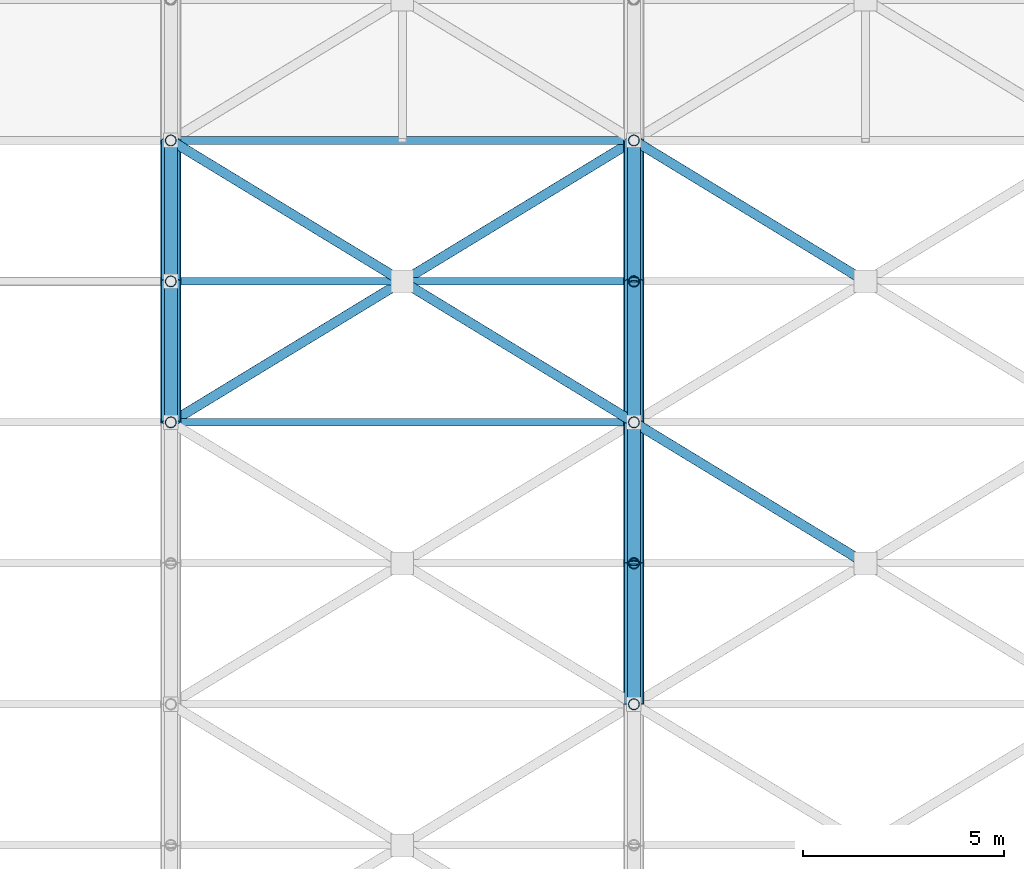
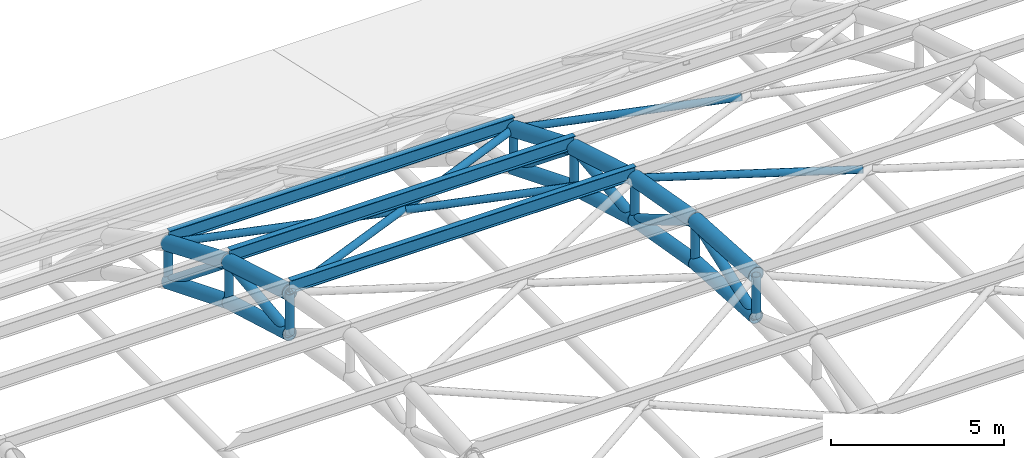
# One storey, part 56 of 154: 34 members.
"""IFC4 building model written with IfcOpenShell, lengths in metres."""

import ifcopenshell
import ifcopenshell.guid

model = None  # the IFC model being written
_history = None  # IfcOwnerHistory: only IFC2X3 demands one
_inside = {}  # id of a spatial element -> (the spatial element, [elements in it])
_under = {}  # id of a project, library or spatial element -> (it, [spatial elements below it])
_declared = {}  # id of a project -> (the project, [libraries it declares])
_typed = {}  # id of a type object -> (the type object, [elements of that type])
_made_of = {}  # id of a material, layer set ... -> (it, [elements and type objects made of it])


def new_model(schema):
    """Start an empty IFC model of exactly this schema.

    Asked for "IFC4X3", IfcOpenShell would pick the latest addendum, in which some entities
    have other attributes; the version numbers below select the first issue.
    IFC2X3 requires an IfcOwnerHistory on every rooted entity: one is made here for all.
    """
    global model, _history
    if schema == "IFC4X3":
        model = ifcopenshell.file(schema_version=(4, 3, 0, 0))
    else:
        model = ifcopenshell.file(schema=schema)
    _inside.clear()
    _under.clear()
    _declared.clear()
    _typed.clear()
    _made_of.clear()
    _history = None
    if model.schema == "IFC2X3":
        org = make("IfcOrganization", Name="unknown")
        user = make(
            "IfcPersonAndOrganization",
            ThePerson=make("IfcPerson", FamilyName="unknown"),
            TheOrganization=org,
        )
        app = make(
            "IfcApplication",
            ApplicationDeveloper=org,
            Version="unknown",
            ApplicationFullName="unknown",
            ApplicationIdentifier="unknown",
        )
        _history = make(
            "IfcOwnerHistory",
            OwningUser=user,
            OwningApplication=app,
            ChangeAction="ADDED",
            CreationDate=0,
        )
    return model


def make(cls, **values):
    """One entity of the class cls with the attributes given. An attribute that is None is left unset."""
    return model.create_entity(
        cls, **{name: value for name, value in values.items() if value is not None}
    )


def rooted(cls, **values):
    """An entity with a GlobalId (a new one), such as an element, a storey or a relation."""
    return make(cls, GlobalId=ifcopenshell.guid.new(), OwnerHistory=_history, **values)


def si_unit(unit_type, name, prefix=None):
    """IfcSIUnit, for example si_unit("LENGTHUNIT", "METRE", prefix="MILLI")."""
    return make("IfcSIUnit", UnitType=unit_type, Prefix=prefix, Name=name)


def assignment(units):
    """IfcUnitAssignment: the units of a project."""
    return None if units is None else make("IfcUnitAssignment", Units=units)


def point(xyz):
    """IfcCartesianPoint."""
    return None if xyz is None else make("IfcCartesianPoint", Coordinates=xyz)


def direction(xyz):
    """IfcDirection."""
    return None if xyz is None else make("IfcDirection", DirectionRatios=xyz)


def frame(location, z_axis=None, x_axis=None):
    """IfcAxis2Placement3D, a coordinate frame: its origin and axes. An axis left out is left unset."""
    return make(
        "IfcAxis2Placement3D",
        Location=point(location),
        Axis=direction(z_axis),
        RefDirection=direction(x_axis),
    )


def frame_2d(location, x_axis=None):
    """IfcAxis2Placement2D, a coordinate frame in the plane: its origin and x axis."""
    return make(
        "IfcAxis2Placement2D", Location=point(location), RefDirection=direction(x_axis)
    )


def origin():
    """The frame at (0, 0, 0) with its axes left unset."""
    return frame((0.0, 0.0, 0.0))


def origin_2d():
    """The frame at (0, 0) in the plane with its x axis left unset."""
    return frame_2d((0.0, 0.0))


def place(relative_to, where):
    """IfcLocalPlacement: puts the frame where relative to a parent placement (None: the world)."""
    return make(
        "IfcLocalPlacement", PlacementRelTo=relative_to, RelativePlacement=where
    )


def context(
    kind, dimensions, precision=None, world=None, true_north=None, identifier=None
):
    """IfcGeometricRepresentationContext, for example the 3D "Model" context."""
    return make(
        "IfcGeometricRepresentationContext",
        ContextIdentifier=identifier,
        ContextType=kind,
        CoordinateSpaceDimension=dimensions,
        Precision=precision,
        WorldCoordinateSystem=world,
        TrueNorth=true_north,
    )


def subcontext(parent, identifier, kind, view, scale=None):
    """IfcGeometricRepresentationSubContext, for example "Body" below "Model"."""
    return make(
        "IfcGeometricRepresentationSubContext",
        ContextIdentifier=identifier,
        ContextType=kind,
        ParentContext=parent,
        TargetScale=scale,
        TargetView=view,
    )


def project(units=None, contexts=None):
    """IfcProject with its units and contexts."""
    return rooted(
        "IfcProject",
        Name="project",
        RepresentationContexts=contexts,
        UnitsInContext=assignment(units),
    )


def spatial(cls, under=None, at=None, **own):
    """A site, building, storey or space (cls), placed at a placement, below another one or the project."""
    s = rooted(cls, ObjectPlacement=at, **own)
    if under is not None:
        _under.setdefault(under.id(), (under, []))[1].append(s)
    return s


def profile(cls, at=None, kind="AREA", **sizes):
    """A parametric profile (cls). Its sizes go by their IFC names, for example OverallWidth=200.0."""
    return make(cls, ProfileType=kind, Position=at, **sizes)


def hollow_circle(**sizes):
    """IfcCircleHollowProfileDef."""
    return profile("IfcCircleHollowProfileDef", **sizes)


def i_section(**sizes):
    """IfcIShapeProfileDef."""
    return profile("IfcIShapeProfileDef", **sizes)


def extrude(swept, where, along, depth):
    """IfcExtrudedAreaSolid: the profile swept, set in the frame where, extruded along a direction by depth."""
    return make(
        "IfcExtrudedAreaSolid",
        SweptArea=swept,
        Position=where,
        ExtrudedDirection=direction(along),
        Depth=depth,
    )


def shape(context_of_items, identifier, shape_type, items):
    """IfcShapeRepresentation: the items that make up one representation, for example the "Body"."""
    return make(
        "IfcShapeRepresentation",
        ContextOfItems=context_of_items,
        RepresentationIdentifier=identifier,
        RepresentationType=shape_type,
        Items=items,
    )


def material(Name=None, Category=None):
    """IfcMaterial."""
    return make("IfcMaterial", Name=Name, Category=Category)


def material_profile(
    of_material, cross_section, Name=None, Category=None, Priority=None
):
    """IfcMaterialProfile: a cross section and its material."""
    return make(
        "IfcMaterialProfile",
        Name=Name,
        Material=of_material,
        Profile=cross_section,
        Priority=Priority,
        Category=Category,
    )


def profile_set(profiles, Name=None, composite=None):
    """IfcMaterialProfileSet."""
    return make(
        "IfcMaterialProfileSet",
        Name=Name,
        MaterialProfiles=profiles,
        CompositeProfile=composite,
    )


def made_of(thing, what):
    """Note that an element or type object is made of a material, layer set ...; save() writes the relation."""
    if what is not None:
        _made_of.setdefault(what.id(), (what, []))[1].append(thing)
    return thing


def type_object(cls, material=None, **own):
    """A type object (cls), such as IfcWallType, which elements share."""
    return made_of(rooted(cls, **own), material)


def element(
    cls,
    number,
    at=None,
    inside=None,
    cuts=None,
    type_object=None,
    material=None,
    context=None,
    identifier="Body",
    shape_type=None,
    held_by="IfcProductDefinitionShape",
    body=None,
    shapes=None,
    **own,
):
    """One element of the class cls, such as IfcWall. Its Tag is "e" and its number.

    at: its placement. inside: the storey or other place that contains it. cuts: it is an
    opening in that element (IfcRelVoidsElement). A single representation is given by context,
    identifier, shape_type and body (its items); several are given by shapes. held_by: the class
    of the entity that holds the representations. save() writes the other relations.
    """
    e = rooted(cls, Tag="e%d" % number, ObjectPlacement=at, **own)
    if body is not None:
        shapes = [shape(context, identifier, shape_type, body)]
    if shapes is not None:
        e.Representation = make(held_by, Representations=shapes)
    if inside is not None:
        _inside.setdefault(inside.id(), (inside, []))[1].append(e)
    if cuts is not None:
        rooted(
            "IfcRelVoidsElement", RelatingBuildingElement=cuts, RelatedOpeningElement=e
        )
    if type_object is not None:
        _typed.setdefault(type_object.id(), (type_object, []))[1].append(e)
    return made_of(e, material)


def aggregate(whole, parts):
    """IfcRelAggregates: a whole, such as a stair, and the parts it consists of."""
    return rooted("IfcRelAggregates", RelatingObject=whole, RelatedObjects=parts)


def save(model, path):
    """Write the relations noted so far, then the file.

    IfcRelAggregates (storeys below a building ...), IfcRelContainedInSpatialStructure (elements
    in a storey), IfcRelDefinesByType, IfcRelAssociatesMaterial and IfcRelDeclares: one each for
    every whole, place, type object, material and project.
    """
    for whole, parts in _under.values():
        aggregate(whole, parts)
    for where, things in _inside.values():
        rooted(
            "IfcRelContainedInSpatialStructure",
            RelatedElements=things,
            RelatingStructure=where,
        )
    for kind, things in _typed.values():
        rooted("IfcRelDefinesByType", RelatedObjects=things, RelatingType=kind)
    for what, things in _made_of.values():
        rooted("IfcRelAssociatesMaterial", RelatedObjects=things, RelatingMaterial=what)
    for by, libraries in _declared.values():
        rooted("IfcRelDeclares", RelatingContext=by, RelatedDefinitions=libraries)
    model.write(path)


model = new_model("IFC4")

# Units and contexts
model_context = context("Model", 3, precision=1e-05, world=origin(), true_north=direction((0.0, 1.0)))
body_context = subcontext(model_context, "Body", "Model", "MODEL_VIEW")
ifc_project = project(units=[si_unit("LENGTHUNIT", "METRE"), si_unit("AREAUNIT", "SQUARE_METRE"), si_unit("VOLUMEUNIT", "CUBIC_METRE"), si_unit("PLANEANGLEUNIT", "RADIAN"), si_unit("MASSUNIT", "GRAM", prefix="KILO")], contexts=[model_context])

# Site, building, storey
site_placement = place(None, origin())
site = spatial("IfcSite", under=ifc_project, at=site_placement, CompositionType="ELEMENT")
building_placement = place(site_placement, origin())
building = spatial("IfcBuilding", under=site, at=building_placement, Name="Ologun Quay Terminus", CompositionType="ELEMENT")
storey_placement = place(building_placement, frame((0.0, 0.0, 13.800048828125)))
storey = spatial("IfcBuildingStorey", under=building, at=storey_placement, Name="L03", CompositionType="ELEMENT", Elevation=13.800048828125)

# Members
ifc_material_1 = material(Name="Steel S355", Category="steel")
ifc_material_profile_1 = material_profile(ifc_material_1, hollow_circle(Radius=0.136474609375, WallThickness=0.010009765625, at=origin_2d()), Name="CHS 273x10")
ifc_profile_set_1 = profile_set([ifc_material_profile_1], Name="Steel S355")
member_type_1 = type_object("IfcMemberType", Name="Arch Truss Vertical Post CHS273", PredefinedType="STRUT", material=ifc_profile_set_1)
member_1_placement = place(storey_placement, frame((80.5, 64.0, 6.435546875), z_axis=(0.0, 0.0, 1.0), x_axis=(1.0, 0.0, 0.0)))
element("IfcMember", 1, at=member_1_placement, inside=storey, type_object=member_type_1, Name="AW2 Arch Web Post 8-N8", PredefinedType="STRUT", context=body_context, shape_type="SweptSolid", body=[
    extrude(hollow_circle(Radius=0.136474609375, WallThickness=0.010009765625, at=origin_2d()), origin(), (0.0, 0.0, 1.0), 1.44873046875),
])
member_2_placement = place(storey_placement, frame((80.5, 67.5, 5.429931640625), z_axis=(0.0, 0.0, 1.0), x_axis=(1.0, 0.0, 0.0)))
element("IfcMember", 2, at=member_2_placement, inside=storey, type_object=member_type_1, Name="AW2 Arch Web Post 8-N9", PredefinedType="STRUT", context=body_context, shape_type="SweptSolid", body=[
    extrude(hollow_circle(Radius=0.136474609375, WallThickness=0.010009765625, at=origin_2d()), origin(), (0.0, 0.0, 1.0), 1.409912109375),
])
member_3_placement = place(storey_placement, frame((80.5, 71.0, 4.022216796875), z_axis=(0.0, 0.0, 1.0), x_axis=(1.0, 0.0, 0.0)))
element("IfcMember", 3, at=member_3_placement, inside=storey, type_object=member_type_1, Name="AW2 Arch Web Post 8-N10", PredefinedType="STRUT", context=body_context, shape_type="SweptSolid", body=[
    extrude(hollow_circle(Radius=0.136474609375, WallThickness=0.010009765625, at=origin_2d()), origin(), (0.0, 0.0, 1.0), 1.35546875),
])
member_4_placement = place(storey_placement, frame((92.0, 57.0, 7.239990234375), z_axis=(0.0, 0.0, 1.0), x_axis=(1.0, 0.0, 0.0)))
element("IfcMember", 4, at=member_4_placement, inside=storey, type_object=member_type_1, Name="AW2 Arch Web Post 9-N6", PredefinedType="STRUT", context=body_context, shape_type="SweptSolid", body=[
    extrude(hollow_circle(Radius=0.136474609375, WallThickness=0.010009765625, at=origin_2d()), origin(), (0.0, 0.0, 1.0), 1.47998046875),
])
member_5_placement = place(storey_placement, frame((92.0, 60.5, 7.038818359375), z_axis=(0.0, 0.0, 1.0), x_axis=(1.0, 0.0, 0.0)))
element("IfcMember", 5, at=member_5_placement, inside=storey, type_object=member_type_1, Name="AW2 Arch Web Post 9-N7", PredefinedType="STRUT", context=body_context, shape_type="SweptSolid", body=[
    extrude(hollow_circle(Radius=0.136474609375, WallThickness=0.010009765625, at=origin_2d()), origin(), (0.0, 0.0, 1.0), 1.47216796875),
])
member_6_placement = place(storey_placement, frame((92.0, 64.0, 6.435546875), z_axis=(0.0, 0.0, 1.0), x_axis=(1.0, 0.0, 0.0)))
element("IfcMember", 6, at=member_6_placement, inside=storey, type_object=member_type_1, Name="AW2 Arch Web Post 9-N8", PredefinedType="STRUT", context=body_context, shape_type="SweptSolid", body=[
    extrude(hollow_circle(Radius=0.136474609375, WallThickness=0.010009765625, at=origin_2d()), origin(), (0.0, 0.0, 1.0), 1.44873046875),
])
member_7_placement = place(storey_placement, frame((92.0, 67.5, 5.429931640625), z_axis=(0.0, 0.0, 1.0), x_axis=(1.0, 0.0, 0.0)))
element("IfcMember", 7, at=member_7_placement, inside=storey, type_object=member_type_1, Name="AW2 Arch Web Post 9-N9", PredefinedType="STRUT", context=body_context, shape_type="SweptSolid", body=[
    extrude(hollow_circle(Radius=0.136474609375, WallThickness=0.010009765625, at=origin_2d()), origin(), (0.0, 0.0, 1.0), 1.409912109375),
])
member_8_placement = place(storey_placement, frame((92.0, 71.0, 4.022216796875), z_axis=(0.0, 0.0, 1.0), x_axis=(1.0, 0.0, 0.0)))
element("IfcMember", 8, at=member_8_placement, inside=storey, type_object=member_type_1, Name="AW2 Arch Web Post 9-N10", PredefinedType="STRUT", context=body_context, shape_type="SweptSolid", body=[
    extrude(hollow_circle(Radius=0.136474609375, WallThickness=0.010009765625, at=origin_2d()), origin(), (0.0, 0.0, 1.0), 1.35546875),
])
ifc_material_2 = material(Name="Steel S355", Category="steel")
ifc_material_profile_2 = material_profile(ifc_material_2, hollow_circle(Radius=0.161865234375, WallThickness=0.010009765625, at=origin_2d()), Name="CHS 323.9x10")
ifc_profile_set_2 = profile_set([ifc_material_profile_2], Name="Steel S355")
member_type_2 = type_object("IfcMemberType", Name="Arch Truss Web Diagonal CHS323", PredefinedType="BRACE", material=ifc_profile_set_2)
member_9_placement = place(storey_placement, frame((80.5, 64.0, 6.435546875), z_axis=(0.0, 0.993394361, 0.114750353084), x_axis=(-1.0, 0.0, 0.0)))
element("IfcMember", 9, at=member_9_placement, inside=storey, type_object=member_type_2, Name="AW1 Arch Web Diagonal 8-P9", PredefinedType="BRACE", context=body_context, shape_type="SweptSolid", body=[
    extrude(hollow_circle(Radius=0.161865234375, WallThickness=0.010009765625, at=origin_2d()), origin(), (0.0, 0.0, 1.0), 3.523193359375),
])
member_10_placement = place(storey_placement, frame((80.5, 67.5, 6.83984375), z_axis=(0.0, 0.77895148125, -0.627084196785), x_axis=(-1.0, 0.0, 0.0)))
element("IfcMember", 10, at=member_10_placement, inside=storey, type_object=member_type_2, Name="AW1 Arch Web Diagonal 8-P10", PredefinedType="BRACE", context=body_context, shape_type="SweptSolid", body=[
    extrude(hollow_circle(Radius=0.161865234375, WallThickness=0.010009765625, at=origin_2d()), origin(), (0.0, 0.0, 1.0), 4.4931640625),
])
member_11_placement = place(storey_placement, frame((92.0, 57.0, 7.239990234375), z_axis=(0.0, 0.939942650142, 0.34133241048), x_axis=(-1.0, 0.0, 0.0)))
element("IfcMember", 11, at=member_11_placement, inside=storey, type_object=member_type_2, Name="AW1 Arch Web Diagonal 9-P7", PredefinedType="BRACE", context=body_context, shape_type="SweptSolid", body=[
    extrude(hollow_circle(Radius=0.161865234375, WallThickness=0.010009765625, at=origin_2d()), origin(), (0.0, 0.0, 1.0), 3.7236328125),
])
member_12_placement = place(storey_placement, frame((92.0, 60.5, 8.510986328125), z_axis=(0.0, 0.860144332958, -0.510050709715), x_axis=(-1.0, 0.0, 0.0)))
element("IfcMember", 12, at=member_12_placement, inside=storey, type_object=member_type_2, Name="AW1 Arch Web Diagonal 9-P8", PredefinedType="BRACE", context=body_context, shape_type="SweptSolid", body=[
    extrude(hollow_circle(Radius=0.161865234375, WallThickness=0.010009765625, at=origin_2d()), origin(), (0.0, 0.0, 1.0), 4.069091796875),
])
member_13_placement = place(storey_placement, frame((92.0, 64.0, 6.435546875), z_axis=(0.0, 0.993394361, 0.114750353084), x_axis=(-1.0, 0.0, 0.0)))
element("IfcMember", 13, at=member_13_placement, inside=storey, type_object=member_type_2, Name="AW1 Arch Web Diagonal 9-P9", PredefinedType="BRACE", context=body_context, shape_type="SweptSolid", body=[
    extrude(hollow_circle(Radius=0.161865234375, WallThickness=0.010009765625, at=origin_2d()), origin(), (0.0, 0.0, 1.0), 3.523193359375),
])
member_14_placement = place(storey_placement, frame((92.0, 67.5, 6.83984375), z_axis=(0.0, 0.77895148125, -0.627084196785), x_axis=(-1.0, 0.0, 0.0)))
element("IfcMember", 14, at=member_14_placement, inside=storey, type_object=member_type_2, Name="AW1 Arch Web Diagonal 9-P10", PredefinedType="BRACE", context=body_context, shape_type="SweptSolid", body=[
    extrude(hollow_circle(Radius=0.161865234375, WallThickness=0.010009765625, at=origin_2d()), origin(), (0.0, 0.0, 1.0), 4.4931640625),
])
ifc_material_3 = material(Name="Steel S355", Category="steel")
ifc_material_profile_3 = material_profile(ifc_material_3, hollow_circle(Radius=0.228515625, WallThickness=0.01611328125, at=origin_2d()), Name="CHS 457x16")
ifc_profile_set_3 = profile_set([ifc_material_profile_3], Name="Steel S355")
member_type_3 = type_object("IfcMemberType", Name="Parabolic Arch Bottom Chord CHS457", PredefinedType="CHORD", material=ifc_profile_set_3)
member_15_placement = place(storey_placement, frame((80.5, 64.0, 6.435546875), z_axis=(0.0, 0.961115578425, -0.276146419331), x_axis=(-1.0, 0.0, 0.0)))
element("IfcMember", 15, at=member_15_placement, inside=storey, type_object=member_type_3, Name="AC2 Arch Bottom Chord 8-P9", PredefinedType="CHORD", context=body_context, shape_type="SweptSolid", body=[
    extrude(hollow_circle(Radius=0.228515625, WallThickness=0.01611328125, at=origin_2d()), origin(), (0.0, 0.0, 1.0), 3.6416015625),
])
member_16_placement = place(storey_placement, frame((80.5, 67.5, 5.429931640625), z_axis=(0.0, 0.92776983497, -0.373152962363), x_axis=(-1.0, 0.0, 0.0)))
element("IfcMember", 16, at=member_16_placement, inside=storey, type_object=member_type_3, Name="AC2 Arch Bottom Chord 8-P10", PredefinedType="CHORD", context=body_context, shape_type="SweptSolid", body=[
    extrude(hollow_circle(Radius=0.228515625, WallThickness=0.01611328125, at=origin_2d()), origin(), (0.0, 0.0, 1.0), 3.7724609375),
])
member_17_placement = place(storey_placement, frame((92.0, 57.0, 7.239990234375), z_axis=(0.0, 0.998352239869, -0.057382969144), x_axis=(-1.0, 0.0, 0.0)))
element("IfcMember", 17, at=member_17_placement, inside=storey, type_object=member_type_3, Name="AC2 Arch Bottom Chord 9-P7", PredefinedType="CHORD", context=body_context, shape_type="SweptSolid", body=[
    extrude(hollow_circle(Radius=0.228515625, WallThickness=0.01611328125, at=origin_2d()), origin(), (0.0, 0.0, 1.0), 3.505859375),
])
member_18_placement = place(storey_placement, frame((92.0, 60.5, 7.038818359375), z_axis=(0.0, 0.985468449185, -0.16985857547), x_axis=(-1.0, 0.0, 0.0)))
element("IfcMember", 18, at=member_18_placement, inside=storey, type_object=member_type_3, Name="AC2 Arch Bottom Chord 9-P8", PredefinedType="CHORD", context=body_context, shape_type="SweptSolid", body=[
    extrude(hollow_circle(Radius=0.228515625, WallThickness=0.01611328125, at=origin_2d()), origin(), (0.0, 0.0, 1.0), 3.551513671875),
])
member_19_placement = place(storey_placement, frame((92.0, 64.0, 6.435546875), z_axis=(0.0, 0.961115578425, -0.276146419331), x_axis=(-1.0, 0.0, 0.0)))
element("IfcMember", 19, at=member_19_placement, inside=storey, type_object=member_type_3, Name="AC2 Arch Bottom Chord 9-P9", PredefinedType="CHORD", context=body_context, shape_type="SweptSolid", body=[
    extrude(hollow_circle(Radius=0.228515625, WallThickness=0.01611328125, at=origin_2d()), origin(), (0.0, 0.0, 1.0), 3.6416015625),
])
member_20_placement = place(storey_placement, frame((92.0, 67.5, 5.429931640625), z_axis=(0.0, 0.92776983497, -0.373152962363), x_axis=(-1.0, 0.0, 0.0)))
element("IfcMember", 20, at=member_20_placement, inside=storey, type_object=member_type_3, Name="AC2 Arch Bottom Chord 9-P10", PredefinedType="CHORD", context=body_context, shape_type="SweptSolid", body=[
    extrude(hollow_circle(Radius=0.228515625, WallThickness=0.01611328125, at=origin_2d()), origin(), (0.0, 0.0, 1.0), 3.7724609375),
])
ifc_material_4 = material(Name="Steel S355", Category="steel")
ifc_material_profile_4 = material_profile(ifc_material_4, hollow_circle(Radius=0.25390625, WallThickness=0.01611328125, at=origin_2d()), Name="CHS 508x16")
ifc_profile_set_4 = profile_set([ifc_material_profile_4], Name="Steel S355")
member_type_4 = type_object("IfcMemberType", Name="Parabolic Arch Top Chord CHS508", PredefinedType="CHORD", material=ifc_profile_set_4)
member_21_placement = place(storey_placement, frame((80.5, 64.0, 7.88427734375), z_axis=(0.0, 0.958244712677, -0.285949419701), x_axis=(-1.0, 0.0, 0.0)))
element("IfcMember", 21, at=member_21_placement, inside=storey, type_object=member_type_4, Name="Arch Top Chord 8-P9", PredefinedType="CHORD", context=body_context, shape_type="SweptSolid", body=[
    extrude(hollow_circle(Radius=0.25390625, WallThickness=0.01611328125, at=origin_2d()), origin(), (0.0, 0.0, 1.0), 3.652587890625),
])
member_22_placement = place(storey_placement, frame((80.5, 67.5, 6.83984375), z_axis=(0.0, 0.922718523726, -0.385474416755), x_axis=(-1.0, 0.0, 0.0)))
element("IfcMember", 22, at=member_22_placement, inside=storey, type_object=member_type_4, Name="Arch Top Chord 8-P10", PredefinedType="CHORD", context=body_context, shape_type="SweptSolid", body=[
    extrude(hollow_circle(Radius=0.25390625, WallThickness=0.01611328125, at=origin_2d()), origin(), (0.0, 0.0, 1.0), 3.793212890625),
])
member_23_placement = place(storey_placement, frame((92.0, 57.0, 8.719970703125), z_axis=(0.0, 0.998222121157, -0.0596036646), x_axis=(-1.0, 0.0, 0.0)))
element("IfcMember", 23, at=member_23_placement, inside=storey, type_object=member_type_4, Name="Arch Top Chord 9-P7", PredefinedType="CHORD", context=body_context, shape_type="SweptSolid", body=[
    extrude(hollow_circle(Radius=0.25390625, WallThickness=0.01611328125, at=origin_2d()), origin(), (0.0, 0.0, 1.0), 3.50634765625),
])
member_24_placement = place(storey_placement, frame((92.0, 60.5, 8.510986328125), z_axis=(0.0, 0.984344289591, -0.176256402859), x_axis=(-1.0, 0.0, 0.0)))
element("IfcMember", 24, at=member_24_placement, inside=storey, type_object=member_type_4, Name="Arch Top Chord 9-P8", PredefinedType="CHORD", context=body_context, shape_type="SweptSolid", body=[
    extrude(hollow_circle(Radius=0.25390625, WallThickness=0.01611328125, at=origin_2d()), origin(), (0.0, 0.0, 1.0), 3.5556640625),
])
member_25_placement = place(storey_placement, frame((92.0, 64.0, 7.88427734375), z_axis=(0.0, 0.958244712677, -0.285949419701), x_axis=(-1.0, 0.0, 0.0)))
element("IfcMember", 25, at=member_25_placement, inside=storey, type_object=member_type_4, Name="Arch Top Chord 9-P9", PredefinedType="CHORD", context=body_context, shape_type="SweptSolid", body=[
    extrude(hollow_circle(Radius=0.25390625, WallThickness=0.01611328125, at=origin_2d()), origin(), (0.0, 0.0, 1.0), 3.652587890625),
])
member_26_placement = place(storey_placement, frame((92.0, 67.5, 6.83984375), z_axis=(0.0, 0.922718523726, -0.385474416755), x_axis=(-1.0, 0.0, 0.0)))
element("IfcMember", 26, at=member_26_placement, inside=storey, type_object=member_type_4, Name="Arch Top Chord 9-P10", PredefinedType="CHORD", context=body_context, shape_type="SweptSolid", body=[
    extrude(hollow_circle(Radius=0.25390625, WallThickness=0.01611328125, at=origin_2d()), origin(), (0.0, 0.0, 1.0), 3.793212890625),
])
ifc_material_5 = material(Name="Steel S355", Category="steel")
ifc_material_profile_5 = material_profile(ifc_material_5, hollow_circle(Radius=0.122314453125, WallThickness=0.008056640625, at=origin_2d()), Name="CHS 244.5x8")
ifc_profile_set_5 = profile_set([ifc_material_profile_5], Name="Steel S355")
member_type_5 = type_object("IfcMemberType", Name="Roof Plan Wind Brace Primary CHS244", PredefinedType="BRACE", material=ifc_profile_set_5)
member_27_placement = place(storey_placement, frame((80.5, 64.0, 7.88427734375), z_axis=(0.83976735311, 0.511162736676, -0.18303947466), x_axis=(-0.519946946896, 0.854198555614, 0.0)))
element("IfcMember", 27, at=member_27_placement, inside=storey, type_object=member_type_5, Name="Roof Wind Brace A B8-K8", PredefinedType="BRACE", context=body_context, shape_type="SweptSolid", body=[
    extrude(hollow_circle(Radius=0.122314453125, WallThickness=0.008056640625, at=origin_2d()), origin(), (0.0, 0.0, 1.0), 13.6943359375),
])
for number, where, z_axis, x_axis, name in (
    (28, (80.5, 71.0, 5.377685546875), (0.839758111636, -0.51117135508, 0.183057804223), (0.519957518446, 0.854192120668, 0.0), "Roof Wind Brace B1 B8-K8"),
    (29, (86.36767578125, 67.428466796875, 6.65673828125), (0.839763706767, -0.511174760907, 0.183022623217), (0.519957518446, 0.854192120668, 0.0), "Roof Wind Brace B2 B8-K8"),
):
    element("IfcMember", number, at=place(storey_placement, frame(where, z_axis=z_axis, x_axis=x_axis)), inside=storey, type_object=member_type_5, Name=name, PredefinedType="BRACE", context=body_context, shape_type="SweptSolid", body=[
        extrude(hollow_circle(Radius=0.122314453125, WallThickness=0.008056640625, at=origin_2d()), origin(), (0.0, 0.0, 1.0), 6.70703125),
    ])
member_28_placement = place(storey_placement, frame((92.0, 64.0, 7.88427734375), z_axis=(0.852563238847, -0.518938678703, 0.061956206405), x_axis=(0.51993754691, 0.854204277274, 0.0)))
element("IfcMember", 30, at=member_28_placement, inside=storey, type_object=member_type_5, Name="Roof Wind Brace B1 B9-K6", PredefinedType="BRACE", context=body_context, shape_type="SweptSolid", body=[
    extrude(hollow_circle(Radius=0.122314453125, WallThickness=0.008056640625, at=origin_2d()), origin(), (0.0, 0.0, 1.0), 6.604248046875),
])
member_29_placement = place(storey_placement, frame((92.0, 71.0, 5.377685546875), z_axis=(0.839758111636, -0.51117135508, 0.183057804223), x_axis=(0.519957518446, 0.854192120668, 0.0)))
element("IfcMember", 31, at=member_29_placement, inside=storey, type_object=member_type_5, Name="Roof Wind Brace B1 B9-K8", PredefinedType="BRACE", context=body_context, shape_type="SweptSolid", body=[
    extrude(hollow_circle(Radius=0.122314453125, WallThickness=0.008056640625, at=origin_2d()), origin(), (0.0, 0.0, 1.0), 6.70703125),
])
ifc_material_6 = material(Name="Steel S355", Category="steel")
ifc_material_profile_6 = material_profile(ifc_material_6, i_section(OverallWidth=0.1904296875, OverallDepth=0.45703125, WebThickness=0.009033203125, FlangeThickness=0.014404296875, at=origin_2d()), Name="UKB 457x191x74")
ifc_profile_set_6 = profile_set([ifc_material_profile_6], Name="Steel S355")
member_type_6 = type_object("IfcMemberType", Name="Train Shed Primary Roof Purlin UKB457", PredefinedType="PURLIN", material=ifc_profile_set_6)
for number, where, z_axis, x_axis, name in (
    (32, (80.5, 64.0, 8.11279296875), (1.0, 0.0, 0.0), (0.0, 1.0, 0.0), "PR1 Roof Purlin B8-N8"),
    (33, (80.5, 67.5, 7.068359375), (1.0, 0.0, 0.0), (0.0, 1.0, 0.0), "PR1 Roof Purlin B8-N9"),
    (34, (80.5, 71.0, 5.606201171875), (1.0, 0.0, 0.0), (0.0, 1.0, 0.0), "PR1 Roof Purlin B8-N10"),
):
    element("IfcMember", number, at=place(storey_placement, frame(where, z_axis=z_axis, x_axis=x_axis)), inside=storey, type_object=member_type_6, Name=name, PredefinedType="PURLIN", context=body_context, shape_type="SweptSolid", body=[
        extrude(i_section(OverallWidth=0.1904296875, OverallDepth=0.45703125, WebThickness=0.009033203125, FlangeThickness=0.014404296875, at=origin_2d()), origin(), (0.0, 0.0, 1.0), 11.5),
    ])

save(model, "model.ifc")
